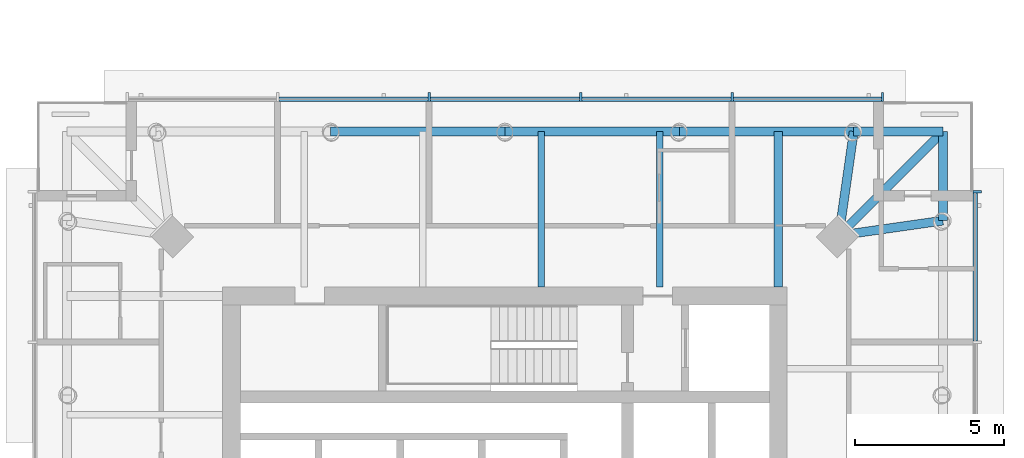
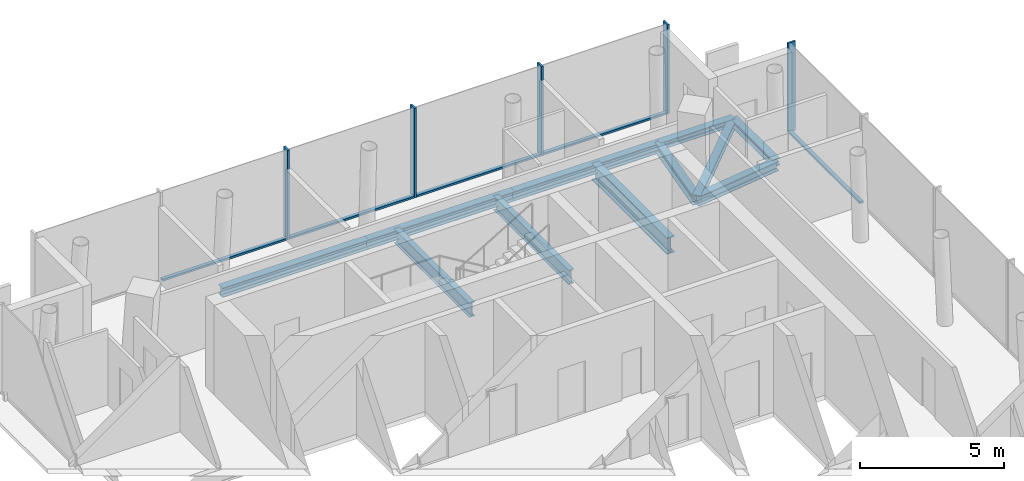
# One storey, part 5 of 19: 11 beams, 10 members, 2 elements without a shape of their own.
"""IFC4 building model written with IfcOpenShell, lengths in metres."""

from ifc_helpers import new_model, si_unit, direction, frame, origin, origin_2d, place, context, subcontext, project, spatial, rectangle, i_section, extrude, material, material_profile, profile_set, type_object, element, aggregate, save


model = new_model("IFC4")

# Units and contexts
model_context = context("Model", 3, precision=1e-05, world=origin(), true_north=direction((0.0, 1.0)))
body_context = subcontext(model_context, "Body", "Model", "MODEL_VIEW")
ifc_project = project(units=[si_unit("LENGTHUNIT", "METRE"), si_unit("AREAUNIT", "SQUARE_METRE"), si_unit("VOLUMEUNIT", "CUBIC_METRE"), si_unit("PLANEANGLEUNIT", "RADIAN"), si_unit("MASSUNIT", "GRAM", prefix="KILO")], contexts=[model_context])

# Site, building, storey
site_placement = place(None, origin())
site = spatial("IfcSite", under=ifc_project, at=site_placement, CompositionType="ELEMENT")
building_placement = place(site_placement, origin())
building = spatial("IfcBuilding", under=site, at=building_placement, Name="Ostroluk Exchange", CompositionType="ELEMENT")
storey_placement = place(building_placement, frame((0.0, 0.0, 119.800048828125)))
storey = spatial("IfcBuildingStorey", under=building, at=storey_placement, Name="L30", CompositionType="ELEMENT", Elevation=119.800048828125)

# Beams
ifc_material_1 = material(Name="Steel S355", Category="steel")
ifc_material_profile_1 = material_profile(ifc_material_1, i_section(OverallWidth=0.300048828125, OverallDepth=0.300048828125, WebThickness=0.010986328125, FlangeThickness=0.01904296875, FilletRadius=0.027099609375, at=origin_2d()), Name="HEB 300")
ifc_profile_set_1 = profile_set([ifc_material_profile_1], Name="Steel S355")
beam_type_1 = type_object("IfcBeamType", Name="Balcony beam HEB 300", PredefinedType="BEAM", material=ifc_profile_set_1)
for number, where, z_axis, x_axis, name in (
    (1, (131.741455078125, 57.741455078125, -0.35009765625), (0.0, 1.0, 0.0), (-1.0, 0.0, 0.0), "T2 east balcony beam a"),
    (2, (128.741455078125, 60.741455078125, -0.35009765625), (1.0, 0.0, 0.0), (0.0, 1.0, 0.0), "T2 east balcony beam b"),
):
    element("IfcBeam", number, at=place(storey_placement, frame(where, z_axis=z_axis, x_axis=x_axis)), inside=storey, type_object=beam_type_1, Name=name, PredefinedType="BEAM", context=body_context, shape_type="SweptSolid", body=[
        extrude(i_section(OverallWidth=0.300048828125, OverallDepth=0.300048828125, WebThickness=0.010986328125, FlangeThickness=0.01904296875, FilletRadius=0.027099609375, at=origin_2d()), origin(), (0.0, 0.0, 1.0), 3.0),
    ])
beam_1_placement = place(storey_placement, frame((128.241455078125, 57.241455078125, -0.35009765625), z_axis=(0.707106781187, 0.707106781187, 0.0), x_axis=(-0.707106781187, 0.707106781187, 0.0)))
element("IfcBeam", 3, at=beam_1_placement, inside=storey, type_object=beam_type_1, Name="T2 east balcony beam c", PredefinedType="BEAM", context=body_context, shape_type="SweptSolid", body=[
    extrude(i_section(OverallWidth=0.300048828125, OverallDepth=0.300048828125, WebThickness=0.010986328125, FlangeThickness=0.01904296875, FilletRadius=0.027099609375, at=origin_2d()), origin(), (0.0, 0.0, 1.0), 4.94970703125),
])
ifc_material_2 = material(Name="Steel S355", Category="steel")
ifc_material_profile_2 = material_profile(ifc_material_2, i_section(OverallWidth=0.300048828125, OverallDepth=0.39990234375, WebThickness=0.013427734375, FlangeThickness=0.02392578125, FilletRadius=0.027099609375, at=origin_2d()), Name="HEB 400")
ifc_profile_set_2 = profile_set([ifc_material_profile_2], Name="Steel S355")
beam_type_2 = type_object("IfcBeamType", Name="Corner edge beam HEB 400", PredefinedType="SPANDREL", material=ifc_profile_set_2)
for number, where, z_axis, x_axis, name in (
    (4, (128.241455078125, 57.241455078125, -0.400146484375), (0.989949493661, 0.141421356237, 0.0), (-0.141421356237, 0.989949493661, 0.0), "T2 east corner edge beam a"),
    (5, (128.241455078125, 57.241455078125, -0.400146484375), (0.141421356237, 0.989949493661, 0.0), (-0.989949493661, 0.141421356237, 0.0), "T2 east corner edge beam b"),
):
    element("IfcBeam", number, at=place(storey_placement, frame(where, z_axis=z_axis, x_axis=x_axis)), inside=storey, type_object=beam_type_2, Name=name, PredefinedType="SPANDREL", context=body_context, shape_type="SweptSolid", body=[
        extrude(i_section(OverallWidth=0.300048828125, OverallDepth=0.39990234375, WebThickness=0.013427734375, FlangeThickness=0.02392578125, FilletRadius=0.027099609375, at=origin_2d()), origin(), (0.0, 0.0, 1.0), 3.53564453125),
    ])
ifc_material_3 = material(Name="Steel S355", Category="steel")
ifc_material_profile_3 = material_profile(ifc_material_3, i_section(OverallWidth=0.219970703125, OverallDepth=0.60009765625, WebThickness=0.011962890625, FlangeThickness=0.01904296875, FilletRadius=0.02392578125, at=origin_2d()), Name="IPE 600")
ifc_profile_set_3 = profile_set([ifc_material_profile_3], Name="Steel S355")
beam_type_3 = type_object("IfcBeamType", Name="Floor beam IPE 600", PredefinedType="BEAM", material=ifc_profile_set_3)
for number, where, z_axis, x_axis, name in (
    (6, (122.209716796875, 55.5, -0.5), (0.0, 1.0, 0.0), (-1.0, 0.0, 0.0), "T2 north floor beam 1"),
    (7, (118.219482421875, 55.5, -0.5), (0.0, 1.0, 0.0), (-1.0, 0.0, 0.0), "T2 north floor beam 2"),
):
    element("IfcBeam", number, at=place(storey_placement, frame(where, z_axis=z_axis, x_axis=x_axis)), inside=storey, type_object=beam_type_3, Name=name, PredefinedType="BEAM", context=body_context, shape_type="SweptSolid", body=[
        extrude(i_section(OverallWidth=0.219970703125, OverallDepth=0.60009765625, WebThickness=0.011962890625, FlangeThickness=0.01904296875, FilletRadius=0.02392578125, at=origin_2d()), origin(), (0.0, 0.0, 1.0), 5.241455078125),
    ])
ifc_material_4 = material(Name="Steel S355", Category="steel")
ifc_material_profile_4 = material_profile(ifc_material_4, i_section(OverallWidth=0.300048828125, OverallDepth=0.699951171875, WebThickness=0.01708984375, FlangeThickness=0.031982421875, FilletRadius=0.027099609375, at=origin_2d()), Name="HEB 700")
ifc_profile_set_4 = profile_set([ifc_material_profile_4], Name="Steel S355")
beam_type_4 = type_object("IfcBeamType", Name="Girder HEB 700", PredefinedType="BEAM", material=ifc_profile_set_4)
beam_2_placement = place(storey_placement, frame((126.199951171875, 55.5, -0.550048828125), z_axis=(0.0, 1.0, 0.0), x_axis=(-1.0, 0.0, 0.0)))
element("IfcBeam", 8, at=beam_2_placement, inside=storey, type_object=beam_type_4, Name="T2 east girder", PredefinedType="BEAM", context=body_context, shape_type="SweptSolid", body=[
    extrude(i_section(OverallWidth=0.300048828125, OverallDepth=0.699951171875, WebThickness=0.01708984375, FlangeThickness=0.031982421875, FilletRadius=0.027099609375, at=origin_2d()), origin(), (0.0, 0.0, 1.0), 5.241455078125),
])
ifc_material_5 = material(Name="Steel S355", Category="steel")
ifc_material_profile_5 = material_profile(ifc_material_5, i_section(OverallWidth=0.300048828125, OverallDepth=0.39990234375, WebThickness=0.013427734375, FlangeThickness=0.02392578125, FilletRadius=0.027099609375, at=origin_2d()), Name="HEB 400")
ifc_profile_set_5 = profile_set([ifc_material_profile_5], Name="Steel S355")
beam_type_5 = type_object("IfcBeamType", Name="Moment-connected edge beam HEB 400", PredefinedType="SPANDREL", material=ifc_profile_set_5)
beam_3_placement = place(storey_placement, frame((128.741455078125, 60.741455078125, -0.400146484375), z_axis=(-1.0, 0.0, 0.0), x_axis=(0.0, -1.0, 0.0)))
element("IfcBeam", 9, at=beam_3_placement, inside=storey, type_object=beam_type_5, Name="T2 north edge beam 1", PredefinedType="SPANDREL", context=body_context, shape_type="SweptSolid", body=[
    extrude(i_section(OverallWidth=0.300048828125, OverallDepth=0.39990234375, WebThickness=0.013427734375, FlangeThickness=0.02392578125, FilletRadius=0.027099609375, at=origin_2d()), origin(), (0.0, 0.0, 1.0), 5.870849609375),
])
for number, where, z_axis, x_axis, name in (
    (10, (122.87060546875, 60.741455078125, -0.400146484375), (-1.0, 0.0, 0.0), (0.0, -1.0, 0.0), "T2 north edge beam 2"),
    (11, (117.0, 60.741455078125, -0.400146484375), (-1.0, 0.0, 0.0), (0.0, -1.0, 0.0), "T2 north edge beam 3"),
):
    element("IfcBeam", number, at=place(storey_placement, frame(where, z_axis=z_axis, x_axis=x_axis)), inside=storey, type_object=beam_type_5, Name=name, PredefinedType="SPANDREL", context=body_context, shape_type="SweptSolid", body=[
        extrude(i_section(OverallWidth=0.300048828125, OverallDepth=0.39990234375, WebThickness=0.013427734375, FlangeThickness=0.02392578125, FilletRadius=0.027099609375, at=origin_2d()), origin(), (0.0, 0.0, 1.0), 5.87060546875),
    ])

# Curtain wall, member
ifc_material_6 = material(Name="Laminated clear glass", Category="glass")
curtain_wall_type = type_object("IfcCurtainWallType", Name="Hotel guest floor facade", PredefinedType="USERDEFINED", material=ifc_material_6)
curtain_wall_1_placement = place(storey_placement, origin())
curtain_wall_1 = element("IfcCurtainWall", 12, at=curtain_wall_1_placement, inside=storey, type_object=curtain_wall_type, Name="Hotel tower east facade L30", ObjectType="UNITISED CURTAIN WALL", PredefinedType="USERDEFINED")
ifc_material_7 = material(Name="Aluminium mullion", Category="aluminium")
ifc_material_profile_6 = material_profile(ifc_material_7, rectangle(XDim=0.14990234375, YDim=0.080078125, at=origin_2d()), Name="Sill transom 80 x 150")
ifc_profile_set_6 = profile_set([ifc_material_profile_6], Name="Aluminium mullion")
member_type_1 = type_object("IfcMemberType", Name="Sill transom 80 x 150", PredefinedType="USERDEFINED", material=ifc_profile_set_6)
member_1_placement = place(storey_placement, frame((132.824951171875, 53.68994140625, 0.0400390625), z_axis=(0.0, 1.0, 0.0), x_axis=(-1.0, 0.0, 0.0)))
member_1 = element("IfcMember", 13, at=member_1_placement, type_object=member_type_1, Name="CW-H1 transom 5.1", ObjectType="TRANSOM", PredefinedType="USERDEFINED", context=body_context, shape_type="SweptSolid", body=[
    extrude(rectangle(XDim=0.14990234375, YDim=0.080078125, at=origin_2d()), origin(), (0.0, 0.0, 1.0), 4.97998046875),
])

# Curtain wall, members
curtain_wall_2_placement = place(storey_placement, origin())
curtain_wall_2 = element("IfcCurtainWall", 14, at=curtain_wall_2_placement, inside=storey, type_object=curtain_wall_type, Name="Hotel tower north facade L30", ObjectType="UNITISED CURTAIN WALL", PredefinedType="USERDEFINED")
member_2_placement = place(storey_placement, frame((129.669921875, 61.824951171875, 0.0400390625), z_axis=(-1.0, 0.0, 0.0), x_axis=(0.0, -1.0, 0.0)))
member_2 = element("IfcMember", 15, at=member_2_placement, type_object=member_type_1, Name="CW-H1 transom 1.1", ObjectType="TRANSOM", PredefinedType="USERDEFINED", context=body_context, shape_type="SweptSolid", body=[
    extrude(rectangle(XDim=0.14990234375, YDim=0.080078125, at=origin_2d()), origin(), (0.0, 0.0, 1.0), 4.97998046875),
])
member_3_placement = place(storey_placement, frame((124.610107421875, 61.824951171875, 0.0400390625), z_axis=(-1.0, 0.0, 0.0), x_axis=(0.0, -1.0, 0.0)))
member_3 = element("IfcMember", 16, at=member_3_placement, type_object=member_type_1, Name="CW-H1 transom 2.1", ObjectType="TRANSOM", PredefinedType="USERDEFINED", context=body_context, shape_type="SweptSolid", body=[
    extrude(rectangle(XDim=0.14990234375, YDim=0.080078125, at=origin_2d()), origin(), (0.0, 0.0, 1.0), 5.02001953125),
])
member_4_placement = place(storey_placement, frame((119.510009765625, 61.824951171875, 0.0400390625), z_axis=(-1.0, 0.0, 0.0), x_axis=(0.0, -1.0, 0.0)))
member_4 = element("IfcMember", 17, at=member_4_placement, type_object=member_type_1, Name="CW-H1 transom 3.1", ObjectType="TRANSOM", PredefinedType="USERDEFINED", context=body_context, shape_type="SweptSolid", body=[
    extrude(rectangle(XDim=0.14990234375, YDim=0.080078125, at=origin_2d()), origin(), (0.0, 0.0, 1.0), 5.02001953125),
])
member_5_placement = place(storey_placement, frame((114.409912109375, 61.824951171875, 0.0400390625), z_axis=(-1.0, 0.0, 0.0), x_axis=(0.0, -1.0, 0.0)))
member_5 = element("IfcMember", 18, at=member_5_placement, type_object=member_type_1, Name="CW-H1 transom 4.1", ObjectType="TRANSOM", PredefinedType="USERDEFINED", context=body_context, shape_type="SweptSolid", body=[
    extrude(rectangle(XDim=0.14990234375, YDim=0.080078125, at=origin_2d()), origin(), (0.0, 0.0, 1.0), 5.02001953125),
])

# Member
ifc_material_8 = material(Name="Aluminium mullion with limestone facing", Category="masonry")
ifc_material_profile_7 = material_profile(ifc_material_8, rectangle(XDim=0.300048828125, YDim=0.080078125, at=origin_2d()), Name="Tracery mullion 80 x 300")
ifc_profile_set_7 = profile_set([ifc_material_profile_7], Name="Aluminium mullion with limestone facing")
member_type_2 = type_object("IfcMemberType", Name="Tracery mullion 80 x 300", PredefinedType="MULLION", material=ifc_profile_set_7)
member_6_placement = place(storey_placement, frame((132.89990234375, 58.7099609375, 0.0), z_axis=(0.0, 0.0, 1.0), x_axis=(-1.0, 0.0, 0.0)))
member_6 = element("IfcMember", 19, at=member_6_placement, type_object=member_type_2, Name="CW-H1 mullion 6", PredefinedType="MULLION", context=body_context, shape_type="SweptSolid", body=[
    extrude(rectangle(XDim=0.300048828125, YDim=0.080078125, at=origin_2d()), origin(), (0.0, 0.0, 1.0), 3.800048828125),
])

aggregate(curtain_wall_1, [member_6, member_1])

member_7_placement = place(storey_placement, frame((129.7099609375, 61.89990234375, 0.0), z_axis=(0.0, 0.0, 1.0), x_axis=(0.0, -1.0, 0.0)))
member_7 = element("IfcMember", 20, at=member_7_placement, type_object=member_type_2, Name="CW-H1 mullion 1", PredefinedType="MULLION", context=body_context, shape_type="SweptSolid", body=[
    extrude(rectangle(XDim=0.300048828125, YDim=0.080078125, at=origin_2d()), origin(), (0.0, 0.0, 1.0), 3.800048828125),
])

member_8_placement = place(storey_placement, frame((124.64990234375, 61.89990234375, 0.0), z_axis=(0.0, 0.0, 1.0), x_axis=(0.0, -1.0, 0.0)))
member_8 = element("IfcMember", 21, at=member_8_placement, type_object=member_type_2, Name="CW-H1 mullion 2", PredefinedType="MULLION", context=body_context, shape_type="SweptSolid", body=[
    extrude(rectangle(XDim=0.300048828125, YDim=0.080078125, at=origin_2d()), origin(), (0.0, 0.0, 1.0), 3.800048828125),
])

member_9_placement = place(storey_placement, frame((119.550048828125, 61.89990234375, 0.0), z_axis=(0.0, 0.0, 1.0), x_axis=(0.0, -1.0, 0.0)))
member_9 = element("IfcMember", 22, at=member_9_placement, type_object=member_type_2, Name="CW-H1 mullion 3", PredefinedType="MULLION", context=body_context, shape_type="SweptSolid", body=[
    extrude(rectangle(XDim=0.300048828125, YDim=0.080078125, at=origin_2d()), origin(), (0.0, 0.0, 1.0), 3.800048828125),
])

member_10_placement = place(storey_placement, frame((114.449951171875, 61.89990234375, 0.0), z_axis=(0.0, 0.0, 1.0), x_axis=(0.0, -1.0, 0.0)))
member_10 = element("IfcMember", 23, at=member_10_placement, type_object=member_type_2, Name="CW-H1 mullion 4", PredefinedType="MULLION", context=body_context, shape_type="SweptSolid", body=[
    extrude(rectangle(XDim=0.300048828125, YDim=0.080078125, at=origin_2d()), origin(), (0.0, 0.0, 1.0), 3.800048828125),
])

aggregate(curtain_wall_2, [member_7, member_8, member_9, member_10, member_2, member_3, member_4, member_5])

save(model, "model.ifc")
